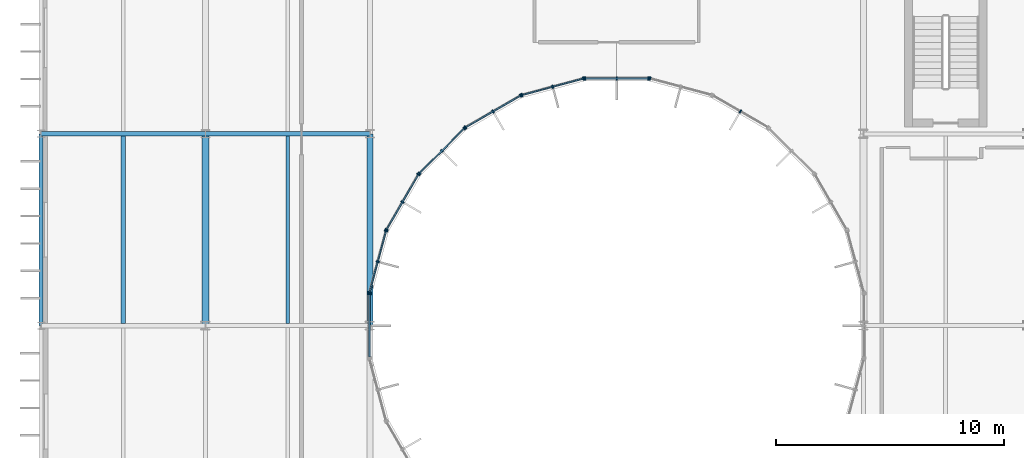
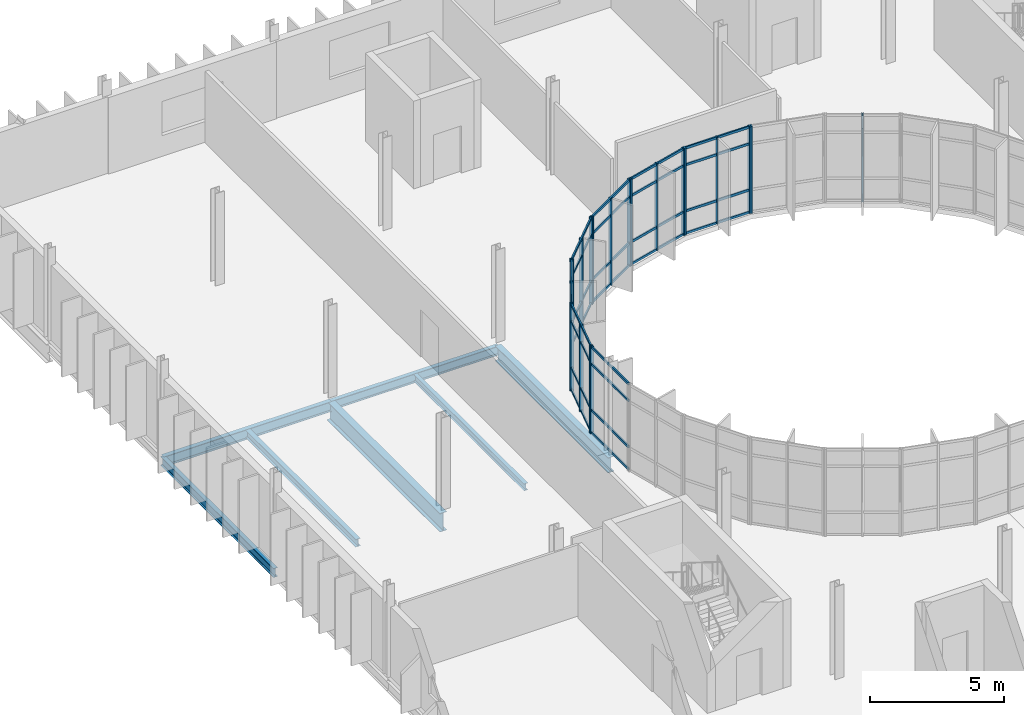
# One storey, part 45 of 119: 49 members, 7 beams, 9 elements without a shape of their own.
"""IFC4 building model written with IfcOpenShell, lengths in metres."""

from ifc_helpers import new_model, si_unit, direction, frame, origin, origin_2d, place, context, subcontext, project, spatial, rectangle, i_section, extrude, material, material_profile, profile_set, type_object, element, aggregate, save


model = new_model("IFC4")

# Units and contexts
model_context = context("Model", 3, precision=1e-05, world=origin(), true_north=direction((0.0, 1.0)))
body_context = subcontext(model_context, "Body", "Model", "MODEL_VIEW")
ifc_project = project(units=[si_unit("LENGTHUNIT", "METRE"), si_unit("AREAUNIT", "SQUARE_METRE"), si_unit("VOLUMEUNIT", "CUBIC_METRE"), si_unit("PLANEANGLEUNIT", "RADIAN"), si_unit("MASSUNIT", "GRAM", prefix="KILO")], contexts=[model_context])

# Site, building, storey
site_placement = place(None, origin())
site = spatial("IfcSite", under=ifc_project, at=site_placement, CompositionType="ELEMENT")
building_placement = place(site_placement, origin())
building = spatial("IfcBuilding", under=site, at=building_placement, Name="Qelthora Terrace Specialist Clinic", CompositionType="ELEMENT")
storey_placement = place(building_placement, frame((0.0, 0.0, 4.800048828125)))
storey = spatial("IfcBuildingStorey", under=building, at=storey_placement, Name="L01", CompositionType="ELEMENT", Elevation=4.800048828125)

# Beams
ifc_material_1 = material(Name="Steel S355", Category="steel")
ifc_material_profile_1 = material_profile(ifc_material_1, i_section(OverallWidth=0.179931640625, OverallDepth=0.4130859375, WebThickness=0.009765625, FlangeThickness=0.01611328125, FilletRadius=0.011962890625, at=origin_2d()), Name="W410X75")
ifc_profile_set_1 = profile_set([ifc_material_profile_1], Name="Steel S355")
beam_type_1 = type_object("IfcBeamType", Name="BM-W410X75", PredefinedType="BEAM", material=ifc_profile_set_1)
beam_1_placement = place(storey_placement, frame((7.199951171875, 92.39990234375, -0.45654296875), z_axis=(1.0, 0.0, 0.0), x_axis=(0.0, 1.0, 0.0)))
element("IfcBeam", 1, at=beam_1_placement, inside=storey, type_object=beam_type_1, Name="Girder BMX-L01-0289", PredefinedType="BEAM", context=body_context, shape_type="SweptSolid", body=[
    extrude(i_section(OverallWidth=0.179931640625, OverallDepth=0.4130859375, WebThickness=0.009765625, FlangeThickness=0.01611328125, FilletRadius=0.011962890625, at=origin_2d()), origin(), (0.0, 0.0, 1.0), 7.199951171875),
])
beam_2_placement = place(storey_placement, frame((0.0, 84.0, -0.45654296875), z_axis=(0.0, 1.0, 0.0), x_axis=(-1.0, 0.0, 0.0)))
element("IfcBeam", 2, at=beam_2_placement, inside=storey, type_object=beam_type_1, Name="Girder BMY-L01-0349", PredefinedType="BEAM", context=body_context, shape_type="SweptSolid", body=[
    extrude(i_section(OverallWidth=0.179931640625, OverallDepth=0.4130859375, WebThickness=0.009765625, FlangeThickness=0.01611328125, FilletRadius=0.011962890625, at=origin_2d()), origin(), (0.0, 0.0, 1.0), 8.39990234375),
])
ifc_material_profile_2 = material_profile(ifc_material_1, i_section(OverallWidth=0.256103515625, OverallDepth=0.693115234375, WebThickness=0.014404296875, FlangeThickness=0.023681640625, FilletRadius=0.01806640625, at=origin_2d()), Name="W690X170")
ifc_profile_set_2 = profile_set([ifc_material_profile_2], Name="Steel S355")
beam_type_2 = type_object("IfcBeamType", Name="BM-W690X170", PredefinedType="BEAM", material=ifc_profile_set_2)
beam_3_placement = place(storey_placement, frame((14.39990234375, 84.0, -0.596435546875), z_axis=(0.0, 1.0, 0.0), x_axis=(-1.0, 0.0, 0.0)))
element("IfcBeam", 3, at=beam_3_placement, inside=storey, type_object=beam_type_2, Name="Girder BMY-L01-0373", PredefinedType="BEAM", context=body_context, shape_type="SweptSolid", body=[
    extrude(i_section(OverallWidth=0.256103515625, OverallDepth=0.693115234375, WebThickness=0.014404296875, FlangeThickness=0.023681640625, FilletRadius=0.01806640625, at=origin_2d()), origin(), (0.0, 0.0, 1.0), 8.39990234375),
])
ifc_material_profile_3 = material_profile(ifc_material_1, i_section(OverallWidth=0.2939453125, OverallDepth=0.85107421875, WebThickness=0.01611328125, FlangeThickness=0.02685546875, FilletRadius=0.02001953125, at=origin_2d()), Name="W840X226")
ifc_profile_set_3 = profile_set([ifc_material_profile_3], Name="Steel S355")
beam_type_3 = type_object("IfcBeamType", Name="BM-W840X226", PredefinedType="BEAM", material=ifc_profile_set_3)
beam_4_placement = place(storey_placement, frame((7.199951171875, 84.0, -0.675537109375), z_axis=(0.0, 1.0, 0.0), x_axis=(-1.0, 0.0, 0.0)))
element("IfcBeam", 4, at=beam_4_placement, inside=storey, type_object=beam_type_3, Name="Girder BMY-L01-0361", PredefinedType="BEAM", context=body_context, shape_type="SweptSolid", body=[
    extrude(i_section(OverallWidth=0.2939453125, OverallDepth=0.85107421875, WebThickness=0.01611328125, FlangeThickness=0.02685546875, FilletRadius=0.02001953125, at=origin_2d()), origin(), (0.0, 0.0, 1.0), 8.39990234375),
])

# Curtain wall, member
ifc_material_2 = material(Name="Aluminium anodized bronze", Category="aluminium")
curtain_wall_type = type_object("IfcCurtainWallType", Name="CW-CRTW-UPP", PredefinedType="NOTDEFINED", material=ifc_material_2)
curtain_wall_1_placement = place(storey_placement, origin())
curtain_wall_1 = element("IfcCurtainWall", 5, at=curtain_wall_1_placement, inside=storey, type_object=curtain_wall_type, Name="Curtain wall CW-CW-L01-04", PredefinedType="NOTDEFINED")
ifc_material_profile_4 = material_profile(ifc_material_2, rectangle(XDim=0.06005859375, YDim=0.14990234375, at=origin_2d()), Name="CWM60X150")
ifc_profile_set_4 = profile_set([ifc_material_profile_4], Name="Aluminium anodized bronze")
member_type_1 = type_object("IfcMemberType", Name="CWM-60X150", PredefinedType="MULLION", material=ifc_profile_set_4)
member_1_placement = place(storey_placement, frame((30.61376953125, 93.376953125, 0.0), z_axis=(0.0, 0.0, 1.0), x_axis=(-0.866025635896, 0.499999597971, 0.0)))
member_1 = element("IfcMember", 6, at=member_1_placement, type_object=member_type_1, Name="CW-CW-L01-04 mullion 2", PredefinedType="MULLION", context=body_context, shape_type="SweptSolid", body=[
    extrude(rectangle(XDim=0.06005859375, YDim=0.14990234375, at=origin_2d()), origin(), (0.0, 0.0, 1.0), 3.945068359375),
])
aggregate(curtain_wall_1, [member_1])

curtain_wall_2_placement = place(storey_placement, origin())
curtain_wall_2 = element("IfcCurtainWall", 7, at=curtain_wall_2_placement, inside=storey, type_object=curtain_wall_type, Name="Curtain wall CW-CW-L01-05", PredefinedType="NOTDEFINED")
member_2_placement = place(storey_placement, frame((26.66015625, 94.818359375, 0.0), z_axis=(0.0, 0.0, 1.0), x_axis=(-0.96592547477, 0.258820356987, 0.0)))
member_2 = element("IfcMember", 8, at=member_2_placement, type_object=member_type_1, Name="CW-CW-L01-05 mullion 3", PredefinedType="MULLION", context=body_context, shape_type="SweptSolid", body=[
    extrude(rectangle(XDim=0.06005859375, YDim=0.14990234375, at=origin_2d()), origin(), (0.0, 0.0, 1.0), 3.945068359375),
])
aggregate(curtain_wall_2, [member_2])

# Curtain wall, members
curtain_wall_3_placement = place(storey_placement, origin())
curtain_wall_3 = element("IfcCurtainWall", 9, at=curtain_wall_3_placement, inside=storey, type_object=curtain_wall_type, Name="Curtain wall CW-CW-L01-06", PredefinedType="NOTDEFINED")
member_3_placement = place(storey_placement, frame((26.589599609375, 94.82763671875, 0.0), z_axis=(0.0, 0.0, 1.0), x_axis=(-1.0, 0.0, 0.0)))
member_3 = element("IfcMember", 10, at=member_3_placement, type_object=member_type_1, Name="CW-CW-L01-06 mullion 1", PredefinedType="MULLION", context=body_context, shape_type="SweptSolid", body=[
    extrude(rectangle(XDim=0.06005859375, YDim=0.14990234375, at=origin_2d()), origin(), (0.0, 0.0, 1.0), 3.945068359375),
])
member_4_placement = place(storey_placement, frame((25.199951171875, 94.82763671875, 0.0), z_axis=(0.0, 0.0, 1.0), x_axis=(-1.0, 0.0, 0.0)))
member_4 = element("IfcMember", 11, at=member_4_placement, type_object=member_type_1, Name="CW-CW-L01-06 mullion 2", PredefinedType="MULLION", context=body_context, shape_type="SweptSolid", body=[
    extrude(rectangle(XDim=0.06005859375, YDim=0.14990234375, at=origin_2d()), origin(), (0.0, 0.0, 1.0), 3.945068359375),
])
member_5_placement = place(storey_placement, frame((23.810302734375, 94.82763671875, 0.0), z_axis=(0.0, 0.0, 1.0), x_axis=(-1.0, 0.0, 0.0)))
member_5 = element("IfcMember", 12, at=member_5_placement, type_object=member_type_1, Name="CW-CW-L01-06 mullion 3", PredefinedType="MULLION", context=body_context, shape_type="SweptSolid", body=[
    extrude(rectangle(XDim=0.06005859375, YDim=0.14990234375, at=origin_2d()), origin(), (0.0, 0.0, 1.0), 3.945068359375),
])

curtain_wall_4_placement = place(storey_placement, origin())
curtain_wall_4 = element("IfcCurtainWall", 13, at=curtain_wall_4_placement, inside=storey, type_object=curtain_wall_type, Name="Curtain wall CW-CW-L01-07", PredefinedType="NOTDEFINED")
member_6_placement = place(storey_placement, frame((23.739990234375, 94.818359375, 0.0), z_axis=(0.0, 0.0, 1.0), x_axis=(-0.96592547477, -0.258820356987, 0.0)))
member_6 = element("IfcMember", 14, at=member_6_placement, type_object=member_type_1, Name="CW-CW-L01-07 mullion 1", PredefinedType="MULLION", context=body_context, shape_type="SweptSolid", body=[
    extrude(rectangle(XDim=0.06005859375, YDim=0.14990234375, at=origin_2d()), origin(), (0.0, 0.0, 1.0), 3.945068359375),
])
member_7_placement = place(storey_placement, frame((22.397705078125, 94.458740234375, 0.0), z_axis=(0.0, 0.0, 1.0), x_axis=(-0.96592547477, -0.258820356987, 0.0)))
member_7 = element("IfcMember", 15, at=member_7_placement, type_object=member_type_1, Name="CW-CW-L01-07 mullion 2", PredefinedType="MULLION", context=body_context, shape_type="SweptSolid", body=[
    extrude(rectangle(XDim=0.06005859375, YDim=0.14990234375, at=origin_2d()), origin(), (0.0, 0.0, 1.0), 3.945068359375),
])
member_8_placement = place(storey_placement, frame((21.05517578125, 94.098876953125, 0.0), z_axis=(0.0, 0.0, 1.0), x_axis=(-0.96592547477, -0.258820356987, 0.0)))
member_8 = element("IfcMember", 16, at=member_8_placement, type_object=member_type_1, Name="CW-CW-L01-07 mullion 3", PredefinedType="MULLION", context=body_context, shape_type="SweptSolid", body=[
    extrude(rectangle(XDim=0.06005859375, YDim=0.14990234375, at=origin_2d()), origin(), (0.0, 0.0, 1.0), 3.945068359375),
])

curtain_wall_5_placement = place(storey_placement, origin())
curtain_wall_5 = element("IfcCurtainWall", 17, at=curtain_wall_5_placement, inside=storey, type_object=curtain_wall_type, Name="Curtain wall CW-CW-L01-08", PredefinedType="NOTDEFINED")
member_9_placement = place(storey_placement, frame((20.98974609375, 94.07177734375, 0.0), z_axis=(0.0, 0.0, 1.0), x_axis=(-0.866025635896, -0.499999597971, 0.0)))
member_9 = element("IfcMember", 18, at=member_9_placement, type_object=member_type_1, Name="CW-CW-L01-08 mullion 1", PredefinedType="MULLION", context=body_context, shape_type="SweptSolid", body=[
    extrude(rectangle(XDim=0.06005859375, YDim=0.14990234375, at=origin_2d()), origin(), (0.0, 0.0, 1.0), 3.945068359375),
])
member_10_placement = place(storey_placement, frame((19.7861328125, 93.376953125, 0.0), z_axis=(0.0, 0.0, 1.0), x_axis=(-0.866025635896, -0.499999597971, 0.0)))
member_10 = element("IfcMember", 19, at=member_10_placement, type_object=member_type_1, Name="CW-CW-L01-08 mullion 2", PredefinedType="MULLION", context=body_context, shape_type="SweptSolid", body=[
    extrude(rectangle(XDim=0.06005859375, YDim=0.14990234375, at=origin_2d()), origin(), (0.0, 0.0, 1.0), 3.945068359375),
])
member_11_placement = place(storey_placement, frame((18.582763671875, 92.68212890625, 0.0), z_axis=(0.0, 0.0, 1.0), x_axis=(-0.866025635896, -0.499999597971, 0.0)))
member_11 = element("IfcMember", 20, at=member_11_placement, type_object=member_type_1, Name="CW-CW-L01-08 mullion 3", PredefinedType="MULLION", context=body_context, shape_type="SweptSolid", body=[
    extrude(rectangle(XDim=0.06005859375, YDim=0.14990234375, at=origin_2d()), origin(), (0.0, 0.0, 1.0), 3.945068359375),
])

curtain_wall_6_placement = place(storey_placement, origin())
curtain_wall_6 = element("IfcCurtainWall", 21, at=curtain_wall_6_placement, inside=storey, type_object=curtain_wall_type, Name="Curtain wall CW-CW-L01-09", PredefinedType="NOTDEFINED")
member_12_placement = place(storey_placement, frame((18.5263671875, 92.638916015625, 0.0), z_axis=(0.0, 0.0, 1.0), x_axis=(-0.707106781187, -0.707106781187, 0.0)))
member_12 = element("IfcMember", 22, at=member_12_placement, type_object=member_type_1, Name="CW-CW-L01-09 mullion 1", PredefinedType="MULLION", context=body_context, shape_type="SweptSolid", body=[
    extrude(rectangle(XDim=0.06005859375, YDim=0.14990234375, at=origin_2d()), origin(), (0.0, 0.0, 1.0), 3.945068359375),
])
member_13_placement = place(storey_placement, frame((17.543701171875, 91.65625, 0.0), z_axis=(0.0, 0.0, 1.0), x_axis=(-0.707106781187, -0.707106781187, 0.0)))
member_13 = element("IfcMember", 23, at=member_13_placement, type_object=member_type_1, Name="CW-CW-L01-09 mullion 2", PredefinedType="MULLION", context=body_context, shape_type="SweptSolid", body=[
    extrude(rectangle(XDim=0.06005859375, YDim=0.14990234375, at=origin_2d()), origin(), (0.0, 0.0, 1.0), 3.945068359375),
])
member_14_placement = place(storey_placement, frame((16.56103515625, 90.673583984375, 0.0), z_axis=(0.0, 0.0, 1.0), x_axis=(-0.707106781187, -0.707106781187, 0.0)))
member_14 = element("IfcMember", 24, at=member_14_placement, type_object=member_type_1, Name="CW-CW-L01-09 mullion 3", PredefinedType="MULLION", context=body_context, shape_type="SweptSolid", body=[
    extrude(rectangle(XDim=0.06005859375, YDim=0.14990234375, at=origin_2d()), origin(), (0.0, 0.0, 1.0), 3.945068359375),
])

curtain_wall_7_placement = place(storey_placement, origin())
curtain_wall_7 = element("IfcCurtainWall", 25, at=curtain_wall_7_placement, inside=storey, type_object=curtain_wall_type, Name="Curtain wall CW-CW-L01-10", PredefinedType="NOTDEFINED")
member_15_placement = place(storey_placement, frame((16.517822265625, 90.6171875, 0.0), z_axis=(0.0, 0.0, 1.0), x_axis=(-0.499999597971, -0.866025635896, 0.0)))
member_15 = element("IfcMember", 26, at=member_15_placement, type_object=member_type_1, Name="CW-CW-L01-10 mullion 1", PredefinedType="MULLION", context=body_context, shape_type="SweptSolid", body=[
    extrude(rectangle(XDim=0.06005859375, YDim=0.14990234375, at=origin_2d()), origin(), (0.0, 0.0, 1.0), 3.945068359375),
])
member_16_placement = place(storey_placement, frame((15.822998046875, 89.413818359375, 0.0), z_axis=(0.0, 0.0, 1.0), x_axis=(-0.499999597971, -0.866025635896, 0.0)))
member_16 = element("IfcMember", 27, at=member_16_placement, type_object=member_type_1, Name="CW-CW-L01-10 mullion 2", PredefinedType="MULLION", context=body_context, shape_type="SweptSolid", body=[
    extrude(rectangle(XDim=0.06005859375, YDim=0.14990234375, at=origin_2d()), origin(), (0.0, 0.0, 1.0), 3.945068359375),
])
member_17_placement = place(storey_placement, frame((15.128173828125, 88.210205078125, 0.0), z_axis=(0.0, 0.0, 1.0), x_axis=(-0.499999597971, -0.866025635896, 0.0)))
member_17 = element("IfcMember", 28, at=member_17_placement, type_object=member_type_1, Name="CW-CW-L01-10 mullion 3", PredefinedType="MULLION", context=body_context, shape_type="SweptSolid", body=[
    extrude(rectangle(XDim=0.06005859375, YDim=0.14990234375, at=origin_2d()), origin(), (0.0, 0.0, 1.0), 3.945068359375),
])

curtain_wall_8_placement = place(storey_placement, origin())
curtain_wall_8 = element("IfcCurtainWall", 29, at=curtain_wall_8_placement, inside=storey, type_object=curtain_wall_type, Name="Curtain wall CW-CW-L01-11", PredefinedType="NOTDEFINED")
member_18_placement = place(storey_placement, frame((15.10107421875, 88.144775390625, 0.0), z_axis=(0.0, 0.0, 1.0), x_axis=(-0.258820356987, -0.96592547477, 0.0)))
member_18 = element("IfcMember", 30, at=member_18_placement, type_object=member_type_1, Name="CW-CW-L01-11 mullion 1", PredefinedType="MULLION", context=body_context, shape_type="SweptSolid", body=[
    extrude(rectangle(XDim=0.06005859375, YDim=0.14990234375, at=origin_2d()), origin(), (0.0, 0.0, 1.0), 3.945068359375),
])
member_19_placement = place(storey_placement, frame((14.7412109375, 86.802490234375, 0.0), z_axis=(0.0, 0.0, 1.0), x_axis=(-0.258820356987, -0.96592547477, 0.0)))
member_19 = element("IfcMember", 31, at=member_19_placement, type_object=member_type_1, Name="CW-CW-L01-11 mullion 2", PredefinedType="MULLION", context=body_context, shape_type="SweptSolid", body=[
    extrude(rectangle(XDim=0.06005859375, YDim=0.14990234375, at=origin_2d()), origin(), (0.0, 0.0, 1.0), 3.945068359375),
])
member_20_placement = place(storey_placement, frame((14.381591796875, 85.4599609375, 0.0), z_axis=(0.0, 0.0, 1.0), x_axis=(-0.258820356987, -0.96592547477, 0.0)))
member_20 = element("IfcMember", 32, at=member_20_placement, type_object=member_type_1, Name="CW-CW-L01-11 mullion 3", PredefinedType="MULLION", context=body_context, shape_type="SweptSolid", body=[
    extrude(rectangle(XDim=0.06005859375, YDim=0.14990234375, at=origin_2d()), origin(), (0.0, 0.0, 1.0), 3.945068359375),
])

# Curtain wall, member
curtain_wall_9_placement = place(storey_placement, origin())
curtain_wall_9 = element("IfcCurtainWall", 33, at=curtain_wall_9_placement, inside=storey, type_object=curtain_wall_type, Name="Curtain wall CW-CW-L01-12", PredefinedType="NOTDEFINED")
member_21_placement = place(storey_placement, frame((14.372314453125, 85.3896484375, 0.0), z_axis=(0.0, 0.0, 1.0), x_axis=(0.0, -1.0, 0.0)))
member_21 = element("IfcMember", 34, at=member_21_placement, type_object=member_type_1, Name="CW-CW-L01-12 mullion 1", PredefinedType="MULLION", context=body_context, shape_type="SweptSolid", body=[
    extrude(rectangle(XDim=0.06005859375, YDim=0.14990234375, at=origin_2d()), origin(), (0.0, 0.0, 1.0), 3.945068359375),
])

# Member
ifc_material_profile_5 = material_profile(ifc_material_2, rectangle(XDim=0.06005859375, YDim=0.110107421875, at=origin_2d()), Name="CWT60X110")
ifc_profile_set_5 = profile_set([ifc_material_profile_5], Name="Aluminium anodized bronze")
member_type_2 = type_object("IfcMemberType", Name="CWT-60X110", PredefinedType="USERDEFINED", material=ifc_profile_set_5)
member_22_placement = place(storey_placement, frame((26.569580078125, 94.82763671875, 0.0400390625), z_axis=(-1.0, 0.0, 0.0), x_axis=(0.0, -1.0, 0.0)))
member_22 = element("IfcMember", 35, at=member_22_placement, type_object=member_type_2, Name="CW-CW-L01-06 transom 1", ObjectType="TRANSOM", PredefinedType="USERDEFINED", context=body_context, shape_type="SweptSolid", body=[
    extrude(rectangle(XDim=0.06005859375, YDim=0.110107421875, at=origin_2d()), origin(), (0.0, 0.0, 1.0), 2.7392578125),
])

member_23_placement = place(storey_placement, frame((26.569580078125, 94.82763671875, 1.050048828125), z_axis=(-1.0, 0.0, 0.0), x_axis=(0.0, -1.0, 0.0)))
member_23 = element("IfcMember", 36, at=member_23_placement, type_object=member_type_2, Name="CW-CW-L01-06 transom 2", ObjectType="TRANSOM", PredefinedType="USERDEFINED", context=body_context, shape_type="SweptSolid", body=[
    extrude(rectangle(XDim=0.06005859375, YDim=0.110107421875, at=origin_2d()), origin(), (0.0, 0.0, 1.0), 2.7392578125),
])

member_24_placement = place(storey_placement, frame((26.569580078125, 94.82763671875, 3.14501953125), z_axis=(-1.0, 0.0, 0.0), x_axis=(0.0, -1.0, 0.0)))
member_24 = element("IfcMember", 37, at=member_24_placement, type_object=member_type_2, Name="CW-CW-L01-06 transom 3", ObjectType="TRANSOM", PredefinedType="USERDEFINED", context=body_context, shape_type="SweptSolid", body=[
    extrude(rectangle(XDim=0.06005859375, YDim=0.110107421875, at=origin_2d()), origin(), (0.0, 0.0, 1.0), 2.7392578125),
])

member_25_placement = place(storey_placement, frame((26.569580078125, 94.82763671875, 3.905029296875), z_axis=(-1.0, 0.0, 0.0), x_axis=(0.0, -1.0, 0.0)))
member_25 = element("IfcMember", 38, at=member_25_placement, type_object=member_type_2, Name="CW-CW-L01-06 transom 4", ObjectType="TRANSOM", PredefinedType="USERDEFINED", context=body_context, shape_type="SweptSolid", body=[
    extrude(rectangle(XDim=0.06005859375, YDim=0.110107421875, at=origin_2d()), origin(), (0.0, 0.0, 1.0), 2.7392578125),
])

aggregate(curtain_wall_3, [member_3, member_4, member_5, member_22, member_23, member_24, member_25])

member_26_placement = place(storey_placement, frame((23.720703125, 94.813232421875, 0.0400390625), z_axis=(-0.965926569303, -0.258816272122, 0.0), x_axis=(0.258816272122, -0.965926569303, 0.0)))
member_26 = element("IfcMember", 39, at=member_26_placement, type_object=member_type_2, Name="CW-CW-L01-07 transom 1", ObjectType="TRANSOM", PredefinedType="USERDEFINED", context=body_context, shape_type="SweptSolid", body=[
    extrude(rectangle(XDim=0.06005859375, YDim=0.110107421875, at=origin_2d()), origin(), (0.0, 0.0, 1.0), 2.7392578125),
])

member_27_placement = place(storey_placement, frame((23.720703125, 94.813232421875, 1.050048828125), z_axis=(-0.965926569303, -0.258816272122, 0.0), x_axis=(0.258816272122, -0.965926569303, 0.0)))
member_27 = element("IfcMember", 40, at=member_27_placement, type_object=member_type_2, Name="CW-CW-L01-07 transom 2", ObjectType="TRANSOM", PredefinedType="USERDEFINED", context=body_context, shape_type="SweptSolid", body=[
    extrude(rectangle(XDim=0.06005859375, YDim=0.110107421875, at=origin_2d()), origin(), (0.0, 0.0, 1.0), 2.7392578125),
])

member_28_placement = place(storey_placement, frame((23.720703125, 94.813232421875, 3.14501953125), z_axis=(-0.965926569303, -0.258816272122, 0.0), x_axis=(0.258816272122, -0.965926569303, 0.0)))
member_28 = element("IfcMember", 41, at=member_28_placement, type_object=member_type_2, Name="CW-CW-L01-07 transom 3", ObjectType="TRANSOM", PredefinedType="USERDEFINED", context=body_context, shape_type="SweptSolid", body=[
    extrude(rectangle(XDim=0.06005859375, YDim=0.110107421875, at=origin_2d()), origin(), (0.0, 0.0, 1.0), 2.7392578125),
])

member_29_placement = place(storey_placement, frame((23.720703125, 94.813232421875, 3.905029296875), z_axis=(-0.965926569303, -0.258816272122, 0.0), x_axis=(0.258816272122, -0.965926569303, 0.0)))
member_29 = element("IfcMember", 42, at=member_29_placement, type_object=member_type_2, Name="CW-CW-L01-07 transom 4", ObjectType="TRANSOM", PredefinedType="USERDEFINED", context=body_context, shape_type="SweptSolid", body=[
    extrude(rectangle(XDim=0.06005859375, YDim=0.110107421875, at=origin_2d()), origin(), (0.0, 0.0, 1.0), 2.7392578125),
])

aggregate(curtain_wall_4, [member_6, member_7, member_8, member_26, member_27, member_28, member_29])

member_30_placement = place(storey_placement, frame((20.972412109375, 94.061767578125, 0.0400390625), z_axis=(-0.866029747927, -0.499992475648, 0.0), x_axis=(0.499992475648, -0.866029747927, 0.0)))
member_30 = element("IfcMember", 43, at=member_30_placement, type_object=member_type_2, Name="CW-CW-L01-08 transom 1", ObjectType="TRANSOM", PredefinedType="USERDEFINED", context=body_context, shape_type="SweptSolid", body=[
    extrude(rectangle(XDim=0.06005859375, YDim=0.110107421875, at=origin_2d()), origin(), (0.0, 0.0, 1.0), 2.7392578125),
])

member_31_placement = place(storey_placement, frame((20.972412109375, 94.061767578125, 1.050048828125), z_axis=(-0.866029747927, -0.499992475648, 0.0), x_axis=(0.499992475648, -0.866029747927, 0.0)))
member_31 = element("IfcMember", 44, at=member_31_placement, type_object=member_type_2, Name="CW-CW-L01-08 transom 2", ObjectType="TRANSOM", PredefinedType="USERDEFINED", context=body_context, shape_type="SweptSolid", body=[
    extrude(rectangle(XDim=0.06005859375, YDim=0.110107421875, at=origin_2d()), origin(), (0.0, 0.0, 1.0), 2.7392578125),
])

member_32_placement = place(storey_placement, frame((20.972412109375, 94.061767578125, 3.14501953125), z_axis=(-0.866029747927, -0.499992475648, 0.0), x_axis=(0.499992475648, -0.866029747927, 0.0)))
member_32 = element("IfcMember", 45, at=member_32_placement, type_object=member_type_2, Name="CW-CW-L01-08 transom 3", ObjectType="TRANSOM", PredefinedType="USERDEFINED", context=body_context, shape_type="SweptSolid", body=[
    extrude(rectangle(XDim=0.06005859375, YDim=0.110107421875, at=origin_2d()), origin(), (0.0, 0.0, 1.0), 2.7392578125),
])

member_33_placement = place(storey_placement, frame((20.972412109375, 94.061767578125, 3.905029296875), z_axis=(-0.866029747927, -0.499992475648, 0.0), x_axis=(0.499992475648, -0.866029747927, 0.0)))
member_33 = element("IfcMember", 46, at=member_33_placement, type_object=member_type_2, Name="CW-CW-L01-08 transom 4", ObjectType="TRANSOM", PredefinedType="USERDEFINED", context=body_context, shape_type="SweptSolid", body=[
    extrude(rectangle(XDim=0.06005859375, YDim=0.110107421875, at=origin_2d()), origin(), (0.0, 0.0, 1.0), 2.7392578125),
])

aggregate(curtain_wall_5, [member_9, member_10, member_11, member_30, member_31, member_32, member_33])

member_34_placement = place(storey_placement, frame((18.51220703125, 92.624755859375, 0.0400390625), z_axis=(-0.707106781187, -0.707106781187, 0.0), x_axis=(0.707106781187, -0.707106781187, 0.0)))
member_34 = element("IfcMember", 47, at=member_34_placement, type_object=member_type_2, Name="CW-CW-L01-09 transom 1", ObjectType="TRANSOM", PredefinedType="USERDEFINED", context=body_context, shape_type="SweptSolid", body=[
    extrude(rectangle(XDim=0.06005859375, YDim=0.110107421875, at=origin_2d()), origin(), (0.0, 0.0, 1.0), 2.7392578125),
])

member_35_placement = place(storey_placement, frame((18.51220703125, 92.624755859375, 1.050048828125), z_axis=(-0.707106781187, -0.707106781187, 0.0), x_axis=(0.707106781187, -0.707106781187, 0.0)))
member_35 = element("IfcMember", 48, at=member_35_placement, type_object=member_type_2, Name="CW-CW-L01-09 transom 2", ObjectType="TRANSOM", PredefinedType="USERDEFINED", context=body_context, shape_type="SweptSolid", body=[
    extrude(rectangle(XDim=0.06005859375, YDim=0.110107421875, at=origin_2d()), origin(), (0.0, 0.0, 1.0), 2.7392578125),
])

member_36_placement = place(storey_placement, frame((18.51220703125, 92.624755859375, 3.14501953125), z_axis=(-0.707106781187, -0.707106781187, 0.0), x_axis=(0.707106781187, -0.707106781187, 0.0)))
member_36 = element("IfcMember", 49, at=member_36_placement, type_object=member_type_2, Name="CW-CW-L01-09 transom 3", ObjectType="TRANSOM", PredefinedType="USERDEFINED", context=body_context, shape_type="SweptSolid", body=[
    extrude(rectangle(XDim=0.06005859375, YDim=0.110107421875, at=origin_2d()), origin(), (0.0, 0.0, 1.0), 2.7392578125),
])

member_37_placement = place(storey_placement, frame((18.51220703125, 92.624755859375, 3.905029296875), z_axis=(-0.707106781187, -0.707106781187, 0.0), x_axis=(0.707106781187, -0.707106781187, 0.0)))
member_37 = element("IfcMember", 50, at=member_37_placement, type_object=member_type_2, Name="CW-CW-L01-09 transom 4", ObjectType="TRANSOM", PredefinedType="USERDEFINED", context=body_context, shape_type="SweptSolid", body=[
    extrude(rectangle(XDim=0.06005859375, YDim=0.110107421875, at=origin_2d()), origin(), (0.0, 0.0, 1.0), 2.7392578125),
])

aggregate(curtain_wall_6, [member_12, member_13, member_14, member_34, member_35, member_36, member_37])

member_38_placement = place(storey_placement, frame((16.5078125, 90.60009765625, 0.0400390625), z_axis=(-0.499953886166, -0.866052025982, 0.0), x_axis=(0.866052025982, -0.499953886166, 0.0)))
member_38 = element("IfcMember", 51, at=member_38_placement, type_object=member_type_2, Name="CW-CW-L01-10 transom 1", ObjectType="TRANSOM", PredefinedType="USERDEFINED", context=body_context, shape_type="SweptSolid", body=[
    extrude(rectangle(XDim=0.06005859375, YDim=0.110107421875, at=origin_2d()), origin(), (0.0, 0.0, 1.0), 2.739501953125),
])

member_39_placement = place(storey_placement, frame((16.5078125, 90.60009765625, 1.050048828125), z_axis=(-0.499953886166, -0.866052025982, 0.0), x_axis=(0.866052025982, -0.499953886166, 0.0)))
member_39 = element("IfcMember", 52, at=member_39_placement, type_object=member_type_2, Name="CW-CW-L01-10 transom 2", ObjectType="TRANSOM", PredefinedType="USERDEFINED", context=body_context, shape_type="SweptSolid", body=[
    extrude(rectangle(XDim=0.06005859375, YDim=0.110107421875, at=origin_2d()), origin(), (0.0, 0.0, 1.0), 2.739501953125),
])

member_40_placement = place(storey_placement, frame((16.5078125, 90.60009765625, 3.14501953125), z_axis=(-0.499953886166, -0.866052025982, 0.0), x_axis=(0.866052025982, -0.499953886166, 0.0)))
member_40 = element("IfcMember", 53, at=member_40_placement, type_object=member_type_2, Name="CW-CW-L01-10 transom 3", ObjectType="TRANSOM", PredefinedType="USERDEFINED", context=body_context, shape_type="SweptSolid", body=[
    extrude(rectangle(XDim=0.06005859375, YDim=0.110107421875, at=origin_2d()), origin(), (0.0, 0.0, 1.0), 2.739501953125),
])

member_41_placement = place(storey_placement, frame((16.5078125, 90.60009765625, 3.905029296875), z_axis=(-0.499953886166, -0.866052025982, 0.0), x_axis=(0.866052025982, -0.499953886166, 0.0)))
member_41 = element("IfcMember", 54, at=member_41_placement, type_object=member_type_2, Name="CW-CW-L01-10 transom 4", ObjectType="TRANSOM", PredefinedType="USERDEFINED", context=body_context, shape_type="SweptSolid", body=[
    extrude(rectangle(XDim=0.06005859375, YDim=0.110107421875, at=origin_2d()), origin(), (0.0, 0.0, 1.0), 2.739501953125),
])

aggregate(curtain_wall_7, [member_15, member_16, member_17, member_38, member_39, member_40, member_41])

member_42_placement = place(storey_placement, frame((15.095947265625, 88.12548828125, 0.0400390625), z_axis=(-0.258899423253, -0.965904285444, 0.0), x_axis=(0.965904285444, -0.258899423253, 0.0)))
member_42 = element("IfcMember", 55, at=member_42_placement, type_object=member_type_2, Name="CW-CW-L01-11 transom 1", ObjectType="TRANSOM", PredefinedType="USERDEFINED", context=body_context, shape_type="SweptSolid", body=[
    extrude(rectangle(XDim=0.06005859375, YDim=0.110107421875, at=origin_2d()), origin(), (0.0, 0.0, 1.0), 2.739501953125),
])

member_43_placement = place(storey_placement, frame((15.095947265625, 88.12548828125, 1.050048828125), z_axis=(-0.258899423253, -0.965904285444, 0.0), x_axis=(0.965904285444, -0.258899423253, 0.0)))
member_43 = element("IfcMember", 56, at=member_43_placement, type_object=member_type_2, Name="CW-CW-L01-11 transom 2", ObjectType="TRANSOM", PredefinedType="USERDEFINED", context=body_context, shape_type="SweptSolid", body=[
    extrude(rectangle(XDim=0.06005859375, YDim=0.110107421875, at=origin_2d()), origin(), (0.0, 0.0, 1.0), 2.739501953125),
])

member_44_placement = place(storey_placement, frame((15.095947265625, 88.12548828125, 3.14501953125), z_axis=(-0.258899423253, -0.965904285444, 0.0), x_axis=(0.965904285444, -0.258899423253, 0.0)))
member_44 = element("IfcMember", 57, at=member_44_placement, type_object=member_type_2, Name="CW-CW-L01-11 transom 3", ObjectType="TRANSOM", PredefinedType="USERDEFINED", context=body_context, shape_type="SweptSolid", body=[
    extrude(rectangle(XDim=0.06005859375, YDim=0.110107421875, at=origin_2d()), origin(), (0.0, 0.0, 1.0), 2.739501953125),
])

member_45_placement = place(storey_placement, frame((15.095947265625, 88.12548828125, 3.905029296875), z_axis=(-0.258899423253, -0.965904285444, 0.0), x_axis=(0.965904285444, -0.258899423253, 0.0)))
member_45 = element("IfcMember", 58, at=member_45_placement, type_object=member_type_2, Name="CW-CW-L01-11 transom 4", ObjectType="TRANSOM", PredefinedType="USERDEFINED", context=body_context, shape_type="SweptSolid", body=[
    extrude(rectangle(XDim=0.06005859375, YDim=0.110107421875, at=origin_2d()), origin(), (0.0, 0.0, 1.0), 2.739501953125),
])

aggregate(curtain_wall_8, [member_18, member_19, member_20, member_42, member_43, member_44, member_45])

member_46_placement = place(storey_placement, frame((14.372314453125, 85.36962890625, 0.0400390625), z_axis=(0.0, -1.0, 0.0), x_axis=(1.0, 0.0, 0.0)))
member_46 = element("IfcMember", 59, at=member_46_placement, type_object=member_type_2, Name="CW-CW-L01-12 transom 1", ObjectType="TRANSOM", PredefinedType="USERDEFINED", context=body_context, shape_type="SweptSolid", body=[
    extrude(rectangle(XDim=0.06005859375, YDim=0.110107421875, at=origin_2d()), origin(), (0.0, 0.0, 1.0), 2.7392578125),
])

member_47_placement = place(storey_placement, frame((14.372314453125, 85.36962890625, 1.050048828125), z_axis=(0.0, -1.0, 0.0), x_axis=(1.0, 0.0, 0.0)))
member_47 = element("IfcMember", 60, at=member_47_placement, type_object=member_type_2, Name="CW-CW-L01-12 transom 2", ObjectType="TRANSOM", PredefinedType="USERDEFINED", context=body_context, shape_type="SweptSolid", body=[
    extrude(rectangle(XDim=0.06005859375, YDim=0.110107421875, at=origin_2d()), origin(), (0.0, 0.0, 1.0), 2.7392578125),
])

member_48_placement = place(storey_placement, frame((14.372314453125, 85.36962890625, 3.14501953125), z_axis=(0.0, -1.0, 0.0), x_axis=(1.0, 0.0, 0.0)))
member_48 = element("IfcMember", 61, at=member_48_placement, type_object=member_type_2, Name="CW-CW-L01-12 transom 3", ObjectType="TRANSOM", PredefinedType="USERDEFINED", context=body_context, shape_type="SweptSolid", body=[
    extrude(rectangle(XDim=0.06005859375, YDim=0.110107421875, at=origin_2d()), origin(), (0.0, 0.0, 1.0), 2.7392578125),
])

member_49_placement = place(storey_placement, frame((14.372314453125, 85.36962890625, 3.905029296875), z_axis=(0.0, -1.0, 0.0), x_axis=(1.0, 0.0, 0.0)))
member_49 = element("IfcMember", 62, at=member_49_placement, type_object=member_type_2, Name="CW-CW-L01-12 transom 4", ObjectType="TRANSOM", PredefinedType="USERDEFINED", context=body_context, shape_type="SweptSolid", body=[
    extrude(rectangle(XDim=0.06005859375, YDim=0.110107421875, at=origin_2d()), origin(), (0.0, 0.0, 1.0), 2.7392578125),
])

aggregate(curtain_wall_9, [member_21, member_46, member_47, member_48, member_49])

# Beams
ifc_material_profile_6 = material_profile(ifc_material_1, i_section(OverallWidth=0.166015625, OverallDepth=0.31298828125, WebThickness=0.006591796875, FlangeThickness=0.01123046875, FilletRadius=0.010009765625, at=origin_2d()), Name="W310X45")
ifc_profile_set_6 = profile_set([ifc_material_profile_6], Name="Steel S355")
beam_type_4 = type_object("IfcBeamType", Name="JST-W310X45", PredefinedType="JOIST", material=ifc_profile_set_6)
beam_5_placement = place(storey_placement, frame((10.800048828125, 84.089599609375, -0.406494140625), z_axis=(0.0, 1.0, 0.0), x_axis=(-1.0, 0.0, 0.0)))
element("IfcBeam", 63, at=beam_5_placement, inside=storey, type_object=beam_type_4, Name="Composite floor joist JST-L01-0058", PredefinedType="JOIST", context=body_context, shape_type="SweptSolid", body=[
    extrude(i_section(OverallWidth=0.166015625, OverallDepth=0.31298828125, WebThickness=0.006591796875, FlangeThickness=0.01123046875, FilletRadius=0.010009765625, at=origin_2d()), origin(), (0.0, 0.0, 1.0), 8.220458984375),
])
ifc_material_profile_7 = material_profile(ifc_material_1, i_section(OverallWidth=0.202880859375, OverallDepth=0.346923828125, WebThickness=0.0078125, FlangeThickness=0.013427734375, FilletRadius=0.010986328125, at=origin_2d()), Name="W360X64")
ifc_profile_set_7 = profile_set([ifc_material_profile_7], Name="Steel S355")
beam_type_5 = type_object("IfcBeamType", Name="JST-W360X64", PredefinedType="JOIST", material=ifc_profile_set_7)
beam_6_placement = place(storey_placement, frame((3.60009765625, 84.095458984375, -0.423583984375), z_axis=(0.0, 1.0, 0.0), x_axis=(-1.0, 0.0, 0.0)))
element("IfcBeam", 64, at=beam_6_placement, inside=storey, type_object=beam_type_5, Name="Composite floor joist JST-L01-0049", PredefinedType="JOIST", context=body_context, shape_type="SweptSolid", body=[
    extrude(i_section(OverallWidth=0.202880859375, OverallDepth=0.346923828125, WebThickness=0.0078125, FlangeThickness=0.013427734375, FilletRadius=0.010986328125, at=origin_2d()), origin(), (0.0, 0.0, 1.0), 8.208984375),
])
ifc_material_profile_8 = material_profile(ifc_material_1, i_section(OverallWidth=0.19091796875, OverallDepth=0.4599609375, WebThickness=0.010009765625, FlangeThickness=0.01611328125, FilletRadius=0.012939453125, at=origin_2d()), Name="W460X82")
ifc_profile_set_8 = profile_set([ifc_material_profile_8], Name="Steel S355")
beam_type_6 = type_object("IfcBeamType", Name="SPD-W460X82", PredefinedType="SPANDREL", material=ifc_profile_set_8)
beam_7_placement = place(storey_placement, frame((0.0, 92.39990234375, -0.47998046875), z_axis=(1.0, 0.0, 0.0), x_axis=(0.0, 1.0, 0.0)))
element("IfcBeam", 65, at=beam_7_placement, inside=storey, type_object=beam_type_6, Name="Girder BMX-L01-0288", PredefinedType="SPANDREL", context=body_context, shape_type="SweptSolid", body=[
    extrude(i_section(OverallWidth=0.19091796875, OverallDepth=0.4599609375, WebThickness=0.010009765625, FlangeThickness=0.01611328125, FilletRadius=0.012939453125, at=origin_2d()), origin(), (0.0, 0.0, 1.0), 7.199951171875),
])

save(model, "model.ifc")
